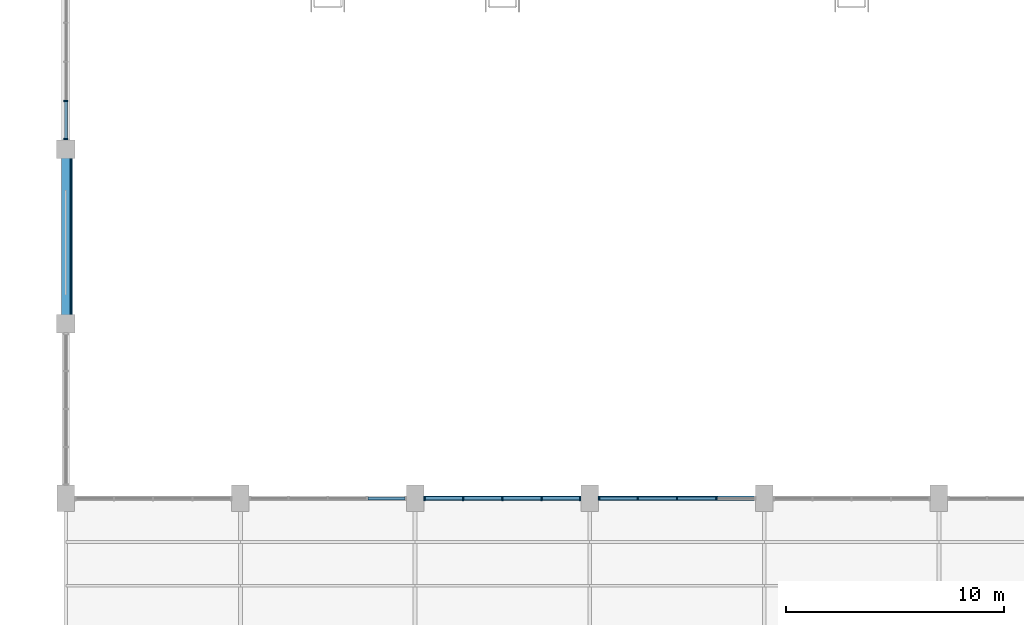
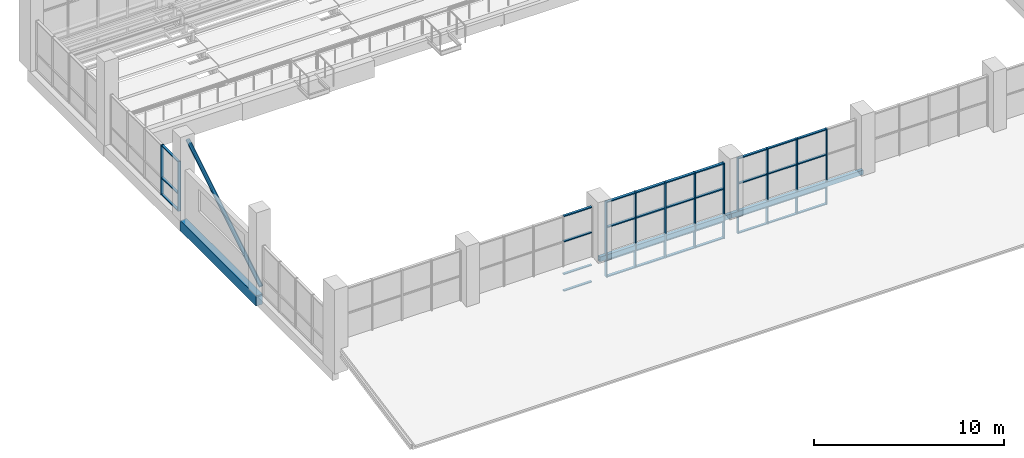
# One storey, part 10 of 122: 47 members, 3 beams, 4 elements without a shape of their own.
"""IFC4 building model written with IfcOpenShell, lengths in metres."""

from ifc_helpers import new_model, si_unit, direction, frame, origin, origin_2d, place, context, subcontext, project, spatial, rectangle, hollow_rectangle, hollow_circle, extrude, material, material_profile, profile_set, type_object, element, aggregate, save


model = new_model("IFC4")

# Units and contexts
model_context = context("Model", 3, precision=1e-05, world=origin(), true_north=direction((0.0, 1.0)))
body_context = subcontext(model_context, "Body", "Model", "MODEL_VIEW")
ifc_project = project(units=[si_unit("LENGTHUNIT", "METRE"), si_unit("AREAUNIT", "SQUARE_METRE"), si_unit("VOLUMEUNIT", "CUBIC_METRE"), si_unit("PLANEANGLEUNIT", "RADIAN"), si_unit("MASSUNIT", "GRAM", prefix="KILO")], contexts=[model_context])

# Site, building, storey
site_placement = place(None, origin())
site = spatial("IfcSite", under=ifc_project, at=site_placement, CompositionType="ELEMENT")
building_placement = place(site_placement, origin())
building = spatial("IfcBuilding", under=site, at=building_placement, Name="Tenunan Teduh Sports Hall", CompositionType="ELEMENT")
storey_placement = place(building_placement, frame((0.0, 0.0, 5.39990234375)))
storey = spatial("IfcBuildingStorey", under=building, at=storey_placement, Name="L01", CompositionType="ELEMENT", Elevation=5.39990234375)

# Beam
ifc_material_1 = material(Name="Concrete C40/50", Category="concrete")
ifc_material_profile_1 = material_profile(ifc_material_1, rectangle(XDim=0.39990234375, YDim=0.64990234375, at=origin_2d()), Name="RCB 400x650")
ifc_profile_set_1 = profile_set([ifc_material_profile_1], Name="Concrete C40/50")
beam_type_1 = type_object("IfcBeamType", Name="BM-RC-400x650", PredefinedType="BEAM", material=ifc_profile_set_1)
beam_placement = place(storey_placement, frame((6.0, 22.0, -0.5849609375), z_axis=(0.0, 1.0, 0.0), x_axis=(-1.0, 0.0, 0.0)))
element("IfcBeam", 1, at=beam_placement, inside=storey, type_object=beam_type_1, Name="BM-B-07-L01-1186", PredefinedType="BEAM", context=body_context, shape_type="SweptSolid", body=[
    extrude(rectangle(XDim=0.39990234375, YDim=0.64990234375, at=origin_2d()), origin(), (0.0, 0.0, 1.0), 8.0),
])

# Curtain wall, members
ifc_material_2 = material(Name="Anodised aluminium", Category="aluminium")
curtain_wall_type = type_object("IfcCurtainWallType", Name="CW-UNIT-1", PredefinedType="NOTDEFINED", material=ifc_material_2)
curtain_wall_1_placement = place(storey_placement, origin())
curtain_wall_1 = element("IfcCurtainWall", 2, at=curtain_wall_1_placement, inside=storey, type_object=curtain_wall_type, Name="CW-CWM-175-L01-046", PredefinedType="NOTDEFINED")
ifc_material_3 = material(Name="Anodised aluminium", Category="aluminium")
ifc_material_profile_2 = material_profile(ifc_material_3, rectangle(XDim=0.06494140625, YDim=0.175048828125, at=origin_2d()), Name="CWM 65x175")
ifc_profile_set_2 = profile_set([ifc_material_profile_2], Name="Anodised aluminium")
member_type_1 = type_object("IfcMemberType", Name="CWM-175", PredefinedType="MULLION", material=ifc_profile_set_2)
member_1_placement = place(storey_placement, frame((30.4326171875, 14.0, 0.0), z_axis=(0.0, 0.0, 1.0), x_axis=(1.0, 0.0, 0.0)))
member_1 = element("IfcMember", 3, at=member_1_placement, type_object=member_type_1, Name="CW-01 mullion 1", PredefinedType="MULLION", context=body_context, shape_type="SweptSolid", body=[
    extrude(rectangle(XDim=0.06494140625, YDim=0.175048828125, at=origin_2d()), origin(), (0.0, 0.0, 1.0), 4.85009765625),
])
member_2_placement = place(storey_placement, frame((32.199951171875, 14.0, 0.0), z_axis=(0.0, 0.0, 1.0), x_axis=(1.0, 0.0, 0.0)))
member_2 = element("IfcMember", 4, at=member_2_placement, type_object=member_type_1, Name="CW-01 mullion 2", PredefinedType="MULLION", context=body_context, shape_type="SweptSolid", body=[
    extrude(rectangle(XDim=0.06494140625, YDim=0.175048828125, at=origin_2d()), origin(), (0.0, 0.0, 1.0), 4.85009765625),
])
member_3_placement = place(storey_placement, frame((34.0, 14.0, 0.0), z_axis=(0.0, 0.0, 1.0), x_axis=(1.0, 0.0, 0.0)))
member_3 = element("IfcMember", 5, at=member_3_placement, type_object=member_type_1, Name="CW-01 mullion 3", PredefinedType="MULLION", context=body_context, shape_type="SweptSolid", body=[
    extrude(rectangle(XDim=0.06494140625, YDim=0.175048828125, at=origin_2d()), origin(), (0.0, 0.0, 1.0), 4.85009765625),
])
member_4_placement = place(storey_placement, frame((35.800048828125, 14.0, 0.0), z_axis=(0.0, 0.0, 1.0), x_axis=(1.0, 0.0, 0.0)))
member_4 = element("IfcMember", 6, at=member_4_placement, type_object=member_type_1, Name="CW-01 mullion 4", PredefinedType="MULLION", context=body_context, shape_type="SweptSolid", body=[
    extrude(rectangle(XDim=0.06494140625, YDim=0.175048828125, at=origin_2d()), origin(), (0.0, 0.0, 1.0), 4.85009765625),
])

curtain_wall_2_placement = place(storey_placement, origin())
curtain_wall_2 = element("IfcCurtainWall", 7, at=curtain_wall_2_placement, inside=storey, type_object=curtain_wall_type, Name="CW-CWM-175-L01-054", PredefinedType="NOTDEFINED")
member_5_placement = place(storey_placement, frame((6.0, 30.45751953125, 0.0), z_axis=(0.0, 0.0, 1.0), x_axis=(0.0, 1.0, 0.0)))
member_5 = element("IfcMember", 8, at=member_5_placement, type_object=member_type_1, Name="CW-01 mullion 1", PredefinedType="MULLION", context=body_context, shape_type="SweptSolid", body=[
    extrude(rectangle(XDim=0.06494140625, YDim=0.175048828125, at=origin_2d()), origin(), (0.0, 0.0, 1.0), 3.2001953125),
])
member_6_placement = place(storey_placement, frame((6.0, 32.21240234375, 0.0), z_axis=(0.0, 0.0, 1.0), x_axis=(0.0, 1.0, 0.0)))
member_6 = element("IfcMember", 9, at=member_6_placement, type_object=member_type_1, Name="CW-01 mullion 2", PredefinedType="MULLION", context=body_context, shape_type="SweptSolid", body=[
    extrude(rectangle(XDim=0.06494140625, YDim=0.175048828125, at=origin_2d()), origin(), (0.0, 0.0, 1.0), 3.2001953125),
])

curtain_wall_3_placement = place(storey_placement, origin())
curtain_wall_3 = element("IfcCurtainWall", 10, at=curtain_wall_3_placement, inside=storey, type_object=curtain_wall_type, Name="CW-CWM-200-L01-044", PredefinedType="NOTDEFINED")
ifc_material_4 = material(Name="Anodised aluminium", Category="aluminium")
ifc_material_profile_3 = material_profile(ifc_material_4, rectangle(XDim=0.070068359375, YDim=0.199951171875, at=origin_2d()), Name="CWM 70x200")
ifc_profile_set_3 = profile_set([ifc_material_profile_3], Name="Anodised aluminium")
member_type_2 = type_object("IfcMemberType", Name="CWM-200", PredefinedType="MULLION", material=ifc_profile_set_3)
member_7_placement = place(storey_placement, frame((22.43505859375, 14.0, 0.0), z_axis=(0.0, 0.0, 1.0), x_axis=(1.0, 0.0, 0.0)))
member_7 = element("IfcMember", 11, at=member_7_placement, type_object=member_type_2, Name="CW-01 mullion 1", PredefinedType="MULLION", context=body_context, shape_type="SweptSolid", body=[
    extrude(rectangle(XDim=0.070068359375, YDim=0.199951171875, at=origin_2d()), origin(), (0.0, 0.0, 1.0), 4.85009765625),
])
member_8_placement = place(storey_placement, frame((24.199951171875, 14.0, 0.0), z_axis=(0.0, 0.0, 1.0), x_axis=(1.0, 0.0, 0.0)))
member_8 = element("IfcMember", 12, at=member_8_placement, type_object=member_type_2, Name="CW-01 mullion 2", PredefinedType="MULLION", context=body_context, shape_type="SweptSolid", body=[
    extrude(rectangle(XDim=0.070068359375, YDim=0.199951171875, at=origin_2d()), origin(), (0.0, 0.0, 1.0), 4.85009765625),
])
member_9_placement = place(storey_placement, frame((26.0, 14.0, 0.0), z_axis=(0.0, 0.0, 1.0), x_axis=(1.0, 0.0, 0.0)))
member_9 = element("IfcMember", 13, at=member_9_placement, type_object=member_type_2, Name="CW-01 mullion 3", PredefinedType="MULLION", context=body_context, shape_type="SweptSolid", body=[
    extrude(rectangle(XDim=0.070068359375, YDim=0.199951171875, at=origin_2d()), origin(), (0.0, 0.0, 1.0), 4.85009765625),
])
member_10_placement = place(storey_placement, frame((27.800048828125, 14.0, 0.0), z_axis=(0.0, 0.0, 1.0), x_axis=(1.0, 0.0, 0.0)))
member_10 = element("IfcMember", 14, at=member_10_placement, type_object=member_type_2, Name="CW-01 mullion 4", PredefinedType="MULLION", context=body_context, shape_type="SweptSolid", body=[
    extrude(rectangle(XDim=0.070068359375, YDim=0.199951171875, at=origin_2d()), origin(), (0.0, 0.0, 1.0), 4.85009765625),
])
member_11_placement = place(storey_placement, frame((29.56494140625, 14.0, 0.0), z_axis=(0.0, 0.0, 1.0), x_axis=(1.0, 0.0, 0.0)))
member_11 = element("IfcMember", 15, at=member_11_placement, type_object=member_type_2, Name="CW-01 mullion 5", PredefinedType="MULLION", context=body_context, shape_type="SweptSolid", body=[
    extrude(rectangle(XDim=0.070068359375, YDim=0.199951171875, at=origin_2d()), origin(), (0.0, 0.0, 1.0), 4.85009765625),
])

curtain_wall_4_placement = place(storey_placement, origin())
curtain_wall_4 = element("IfcCurtainWall", 16, at=curtain_wall_4_placement, inside=storey, type_object=curtain_wall_type, Name="CW-CWM-175-L01-042", PredefinedType="NOTDEFINED")
ifc_material_5 = material(Name="Anodised aluminium", Category="aluminium")
ifc_material_profile_4 = material_profile(ifc_material_5, rectangle(XDim=0.06494140625, YDim=0.139892578125, at=origin_2d()), Name="CWT 65x140")
ifc_profile_set_4 = profile_set([ifc_material_profile_4], Name="Anodised aluminium")
member_type_3 = type_object("IfcMemberType", Name="CWT-150", PredefinedType="USERDEFINED", material=ifc_profile_set_4)
member_12_placement = place(storey_placement, frame((19.83251953125, 14.0, 0.03271484375), z_axis=(1.0, 0.0, 0.0), x_axis=(0.0, 0.0, 1.0)))
member_12 = element("IfcMember", 17, at=member_12_placement, type_object=member_type_3, Name="CW-01 transom 4.1", ObjectType="TRANSOM", PredefinedType="USERDEFINED", context=body_context, shape_type="SweptSolid", body=[
    extrude(rectangle(XDim=0.06494140625, YDim=0.139892578125, at=origin_2d()), origin(), (0.0, 0.0, 1.0), 1.702392578125),
])
member_13_placement = place(storey_placement, frame((19.83251953125, 14.0, 1.10009765625), z_axis=(1.0, 0.0, 0.0), x_axis=(0.0, 0.0, 1.0)))
member_13 = element("IfcMember", 18, at=member_13_placement, type_object=member_type_3, Name="CW-01 transom 4.2", ObjectType="TRANSOM", PredefinedType="USERDEFINED", context=body_context, shape_type="SweptSolid", body=[
    extrude(rectangle(XDim=0.06494140625, YDim=0.139892578125, at=origin_2d()), origin(), (0.0, 0.0, 1.0), 1.702392578125),
])
member_14_placement = place(storey_placement, frame((19.83251953125, 14.0, 3.2001953125), z_axis=(1.0, 0.0, 0.0), x_axis=(0.0, 0.0, 1.0)))
member_14 = element("IfcMember", 19, at=member_14_placement, type_object=member_type_3, Name="CW-01 transom 4.3", ObjectType="TRANSOM", PredefinedType="USERDEFINED", context=body_context, shape_type="SweptSolid", body=[
    extrude(rectangle(XDim=0.06494140625, YDim=0.139892578125, at=origin_2d()), origin(), (0.0, 0.0, 1.0), 1.702392578125),
])
member_15_placement = place(storey_placement, frame((19.83251953125, 14.0, 4.817626953125), z_axis=(1.0, 0.0, 0.0), x_axis=(0.0, 0.0, 1.0)))
member_15 = element("IfcMember", 20, at=member_15_placement, type_object=member_type_3, Name="CW-01 transom 4.4", ObjectType="TRANSOM", PredefinedType="USERDEFINED", context=body_context, shape_type="SweptSolid", body=[
    extrude(rectangle(XDim=0.06494140625, YDim=0.139892578125, at=origin_2d()), origin(), (0.0, 0.0, 1.0), 1.702392578125),
])
aggregate(curtain_wall_4, [member_12, member_13, member_14, member_15])

# Member
member_16_placement = place(storey_placement, frame((30.465087890625, 14.0, 0.03271484375), z_axis=(1.0, 0.0, 0.0), x_axis=(0.0, 0.0, 1.0)))
member_16 = element("IfcMember", 21, at=member_16_placement, type_object=member_type_3, Name="CW-01 transom 1.1", ObjectType="TRANSOM", PredefinedType="USERDEFINED", context=body_context, shape_type="SweptSolid", body=[
    extrude(rectangle(XDim=0.06494140625, YDim=0.139892578125, at=origin_2d()), origin(), (0.0, 0.0, 1.0), 1.702392578125),
])

member_17_placement = place(storey_placement, frame((30.465087890625, 14.0, 1.10009765625), z_axis=(1.0, 0.0, 0.0), x_axis=(0.0, 0.0, 1.0)))
member_17 = element("IfcMember", 22, at=member_17_placement, type_object=member_type_3, Name="CW-01 transom 1.2", ObjectType="TRANSOM", PredefinedType="USERDEFINED", context=body_context, shape_type="SweptSolid", body=[
    extrude(rectangle(XDim=0.06494140625, YDim=0.139892578125, at=origin_2d()), origin(), (0.0, 0.0, 1.0), 1.702392578125),
])

member_18_placement = place(storey_placement, frame((30.465087890625, 14.0, 3.2001953125), z_axis=(1.0, 0.0, 0.0), x_axis=(0.0, 0.0, 1.0)))
member_18 = element("IfcMember", 23, at=member_18_placement, type_object=member_type_3, Name="CW-01 transom 1.3", ObjectType="TRANSOM", PredefinedType="USERDEFINED", context=body_context, shape_type="SweptSolid", body=[
    extrude(rectangle(XDim=0.06494140625, YDim=0.139892578125, at=origin_2d()), origin(), (0.0, 0.0, 1.0), 1.702392578125),
])

member_19_placement = place(storey_placement, frame((30.465087890625, 14.0, 4.817626953125), z_axis=(1.0, 0.0, 0.0), x_axis=(0.0, 0.0, 1.0)))
member_19 = element("IfcMember", 24, at=member_19_placement, type_object=member_type_3, Name="CW-01 transom 1.4", ObjectType="TRANSOM", PredefinedType="USERDEFINED", context=body_context, shape_type="SweptSolid", body=[
    extrude(rectangle(XDim=0.06494140625, YDim=0.139892578125, at=origin_2d()), origin(), (0.0, 0.0, 1.0), 1.702392578125),
])

member_20_placement = place(storey_placement, frame((32.232421875, 14.0, 0.03271484375), z_axis=(1.0, 0.0, 0.0), x_axis=(0.0, 0.0, 1.0)))
member_20 = element("IfcMember", 25, at=member_20_placement, type_object=member_type_3, Name="CW-01 transom 2.1", ObjectType="TRANSOM", PredefinedType="USERDEFINED", context=body_context, shape_type="SweptSolid", body=[
    extrude(rectangle(XDim=0.06494140625, YDim=0.139892578125, at=origin_2d()), origin(), (0.0, 0.0, 1.0), 1.735107421875),
])

member_21_placement = place(storey_placement, frame((32.232421875, 14.0, 1.10009765625), z_axis=(1.0, 0.0, 0.0), x_axis=(0.0, 0.0, 1.0)))
member_21 = element("IfcMember", 26, at=member_21_placement, type_object=member_type_3, Name="CW-01 transom 2.2", ObjectType="TRANSOM", PredefinedType="USERDEFINED", context=body_context, shape_type="SweptSolid", body=[
    extrude(rectangle(XDim=0.06494140625, YDim=0.139892578125, at=origin_2d()), origin(), (0.0, 0.0, 1.0), 1.735107421875),
])

member_22_placement = place(storey_placement, frame((32.232421875, 14.0, 3.2001953125), z_axis=(1.0, 0.0, 0.0), x_axis=(0.0, 0.0, 1.0)))
member_22 = element("IfcMember", 27, at=member_22_placement, type_object=member_type_3, Name="CW-01 transom 2.3", ObjectType="TRANSOM", PredefinedType="USERDEFINED", context=body_context, shape_type="SweptSolid", body=[
    extrude(rectangle(XDim=0.06494140625, YDim=0.139892578125, at=origin_2d()), origin(), (0.0, 0.0, 1.0), 1.735107421875),
])

member_23_placement = place(storey_placement, frame((32.232421875, 14.0, 4.817626953125), z_axis=(1.0, 0.0, 0.0), x_axis=(0.0, 0.0, 1.0)))
member_23 = element("IfcMember", 28, at=member_23_placement, type_object=member_type_3, Name="CW-01 transom 2.4", ObjectType="TRANSOM", PredefinedType="USERDEFINED", context=body_context, shape_type="SweptSolid", body=[
    extrude(rectangle(XDim=0.06494140625, YDim=0.139892578125, at=origin_2d()), origin(), (0.0, 0.0, 1.0), 1.735107421875),
])

member_24_placement = place(storey_placement, frame((34.032470703125, 14.0, 0.03271484375), z_axis=(1.0, 0.0, 0.0), x_axis=(0.0, 0.0, 1.0)))
member_24 = element("IfcMember", 29, at=member_24_placement, type_object=member_type_3, Name="CW-01 transom 3.1", ObjectType="TRANSOM", PredefinedType="USERDEFINED", context=body_context, shape_type="SweptSolid", body=[
    extrude(rectangle(XDim=0.06494140625, YDim=0.139892578125, at=origin_2d()), origin(), (0.0, 0.0, 1.0), 1.735107421875),
])

member_25_placement = place(storey_placement, frame((34.032470703125, 14.0, 1.10009765625), z_axis=(1.0, 0.0, 0.0), x_axis=(0.0, 0.0, 1.0)))
member_25 = element("IfcMember", 30, at=member_25_placement, type_object=member_type_3, Name="CW-01 transom 3.2", ObjectType="TRANSOM", PredefinedType="USERDEFINED", context=body_context, shape_type="SweptSolid", body=[
    extrude(rectangle(XDim=0.06494140625, YDim=0.139892578125, at=origin_2d()), origin(), (0.0, 0.0, 1.0), 1.735107421875),
])

member_26_placement = place(storey_placement, frame((34.032470703125, 14.0, 3.2001953125), z_axis=(1.0, 0.0, 0.0), x_axis=(0.0, 0.0, 1.0)))
member_26 = element("IfcMember", 31, at=member_26_placement, type_object=member_type_3, Name="CW-01 transom 3.3", ObjectType="TRANSOM", PredefinedType="USERDEFINED", context=body_context, shape_type="SweptSolid", body=[
    extrude(rectangle(XDim=0.06494140625, YDim=0.139892578125, at=origin_2d()), origin(), (0.0, 0.0, 1.0), 1.735107421875),
])

member_27_placement = place(storey_placement, frame((34.032470703125, 14.0, 4.817626953125), z_axis=(1.0, 0.0, 0.0), x_axis=(0.0, 0.0, 1.0)))
member_27 = element("IfcMember", 32, at=member_27_placement, type_object=member_type_3, Name="CW-01 transom 3.4", ObjectType="TRANSOM", PredefinedType="USERDEFINED", context=body_context, shape_type="SweptSolid", body=[
    extrude(rectangle(XDim=0.06494140625, YDim=0.139892578125, at=origin_2d()), origin(), (0.0, 0.0, 1.0), 1.735107421875),
])

aggregate(curtain_wall_1, [member_1, member_2, member_3, member_4, member_16, member_17, member_18, member_19, member_20, member_21, member_22, member_23, member_24, member_25, member_26, member_27])

member_28_placement = place(storey_placement, frame((6.0, 30.489990234375, 0.03271484375), z_axis=(0.0, 1.0, 0.0), x_axis=(0.0, 0.0, 1.0)))
member_28 = element("IfcMember", 33, at=member_28_placement, type_object=member_type_3, Name="CW-01 transom 1.1", ObjectType="TRANSOM", PredefinedType="USERDEFINED", context=body_context, shape_type="SweptSolid", body=[
    extrude(rectangle(XDim=0.06494140625, YDim=0.139892578125, at=origin_2d()), origin(), (0.0, 0.0, 1.0), 1.68994140625),
])

member_29_placement = place(storey_placement, frame((6.0, 30.489990234375, 1.10009765625), z_axis=(0.0, 1.0, 0.0), x_axis=(0.0, 0.0, 1.0)))
member_29 = element("IfcMember", 34, at=member_29_placement, type_object=member_type_3, Name="CW-01 transom 1.2", ObjectType="TRANSOM", PredefinedType="USERDEFINED", context=body_context, shape_type="SweptSolid", body=[
    extrude(rectangle(XDim=0.06494140625, YDim=0.139892578125, at=origin_2d()), origin(), (0.0, 0.0, 1.0), 1.68994140625),
])

member_30_placement = place(storey_placement, frame((6.0, 30.489990234375, 3.16748046875), z_axis=(0.0, 1.0, 0.0), x_axis=(0.0, 0.0, 1.0)))
member_30 = element("IfcMember", 35, at=member_30_placement, type_object=member_type_3, Name="CW-01 transom 1.3", ObjectType="TRANSOM", PredefinedType="USERDEFINED", context=body_context, shape_type="SweptSolid", body=[
    extrude(rectangle(XDim=0.06494140625, YDim=0.139892578125, at=origin_2d()), origin(), (0.0, 0.0, 1.0), 1.68994140625),
])

aggregate(curtain_wall_2, [member_5, member_6, member_28, member_29, member_30])

ifc_material_6 = material(Name="Anodised aluminium", Category="aluminium")
ifc_material_profile_5 = material_profile(ifc_material_6, rectangle(XDim=0.070068359375, YDim=0.159912109375, at=origin_2d()), Name="CWT 70x160")
ifc_profile_set_5 = profile_set([ifc_material_profile_5], Name="Anodised aluminium")
member_type_4 = type_object("IfcMemberType", Name="CWT-200", PredefinedType="USERDEFINED", material=ifc_profile_set_5)
member_31_placement = place(storey_placement, frame((22.469970703125, 14.0, 0.03515625), z_axis=(1.0, 0.0, 0.0), x_axis=(0.0, 0.0, 1.0)))
member_31 = element("IfcMember", 36, at=member_31_placement, type_object=member_type_4, Name="CW-01 transom 1.1", ObjectType="TRANSOM", PredefinedType="USERDEFINED", context=body_context, shape_type="SweptSolid", body=[
    extrude(rectangle(XDim=0.070068359375, YDim=0.159912109375, at=origin_2d()), origin(), (0.0, 0.0, 1.0), 1.695068359375),
])

member_32_placement = place(storey_placement, frame((22.469970703125, 14.0, 1.10009765625), z_axis=(1.0, 0.0, 0.0), x_axis=(0.0, 0.0, 1.0)))
member_32 = element("IfcMember", 37, at=member_32_placement, type_object=member_type_4, Name="CW-01 transom 1.2", ObjectType="TRANSOM", PredefinedType="USERDEFINED", context=body_context, shape_type="SweptSolid", body=[
    extrude(rectangle(XDim=0.070068359375, YDim=0.159912109375, at=origin_2d()), origin(), (0.0, 0.0, 1.0), 1.695068359375),
])

member_33_placement = place(storey_placement, frame((22.469970703125, 14.0, 3.2001953125), z_axis=(1.0, 0.0, 0.0), x_axis=(0.0, 0.0, 1.0)))
member_33 = element("IfcMember", 38, at=member_33_placement, type_object=member_type_4, Name="CW-01 transom 1.3", ObjectType="TRANSOM", PredefinedType="USERDEFINED", context=body_context, shape_type="SweptSolid", body=[
    extrude(rectangle(XDim=0.070068359375, YDim=0.159912109375, at=origin_2d()), origin(), (0.0, 0.0, 1.0), 1.695068359375),
])

member_34_placement = place(storey_placement, frame((22.469970703125, 14.0, 4.815185546875), z_axis=(1.0, 0.0, 0.0), x_axis=(0.0, 0.0, 1.0)))
member_34 = element("IfcMember", 39, at=member_34_placement, type_object=member_type_4, Name="CW-01 transom 1.4", ObjectType="TRANSOM", PredefinedType="USERDEFINED", context=body_context, shape_type="SweptSolid", body=[
    extrude(rectangle(XDim=0.070068359375, YDim=0.159912109375, at=origin_2d()), origin(), (0.0, 0.0, 1.0), 1.695068359375),
])

member_35_placement = place(storey_placement, frame((24.235107421875, 14.0, 0.03515625), z_axis=(1.0, 0.0, 0.0), x_axis=(0.0, 0.0, 1.0)))
member_35 = element("IfcMember", 40, at=member_35_placement, type_object=member_type_4, Name="CW-01 transom 2.1", ObjectType="TRANSOM", PredefinedType="USERDEFINED", context=body_context, shape_type="SweptSolid", body=[
    extrude(rectangle(XDim=0.070068359375, YDim=0.159912109375, at=origin_2d()), origin(), (0.0, 0.0, 1.0), 1.72998046875),
])

member_36_placement = place(storey_placement, frame((24.235107421875, 14.0, 1.10009765625), z_axis=(1.0, 0.0, 0.0), x_axis=(0.0, 0.0, 1.0)))
member_36 = element("IfcMember", 41, at=member_36_placement, type_object=member_type_4, Name="CW-01 transom 2.2", ObjectType="TRANSOM", PredefinedType="USERDEFINED", context=body_context, shape_type="SweptSolid", body=[
    extrude(rectangle(XDim=0.070068359375, YDim=0.159912109375, at=origin_2d()), origin(), (0.0, 0.0, 1.0), 1.72998046875),
])

member_37_placement = place(storey_placement, frame((24.235107421875, 14.0, 3.2001953125), z_axis=(1.0, 0.0, 0.0), x_axis=(0.0, 0.0, 1.0)))
member_37 = element("IfcMember", 42, at=member_37_placement, type_object=member_type_4, Name="CW-01 transom 2.3", ObjectType="TRANSOM", PredefinedType="USERDEFINED", context=body_context, shape_type="SweptSolid", body=[
    extrude(rectangle(XDim=0.070068359375, YDim=0.159912109375, at=origin_2d()), origin(), (0.0, 0.0, 1.0), 1.72998046875),
])

member_38_placement = place(storey_placement, frame((24.235107421875, 14.0, 4.815185546875), z_axis=(1.0, 0.0, 0.0), x_axis=(0.0, 0.0, 1.0)))
member_38 = element("IfcMember", 43, at=member_38_placement, type_object=member_type_4, Name="CW-01 transom 2.4", ObjectType="TRANSOM", PredefinedType="USERDEFINED", context=body_context, shape_type="SweptSolid", body=[
    extrude(rectangle(XDim=0.070068359375, YDim=0.159912109375, at=origin_2d()), origin(), (0.0, 0.0, 1.0), 1.72998046875),
])

member_39_placement = place(storey_placement, frame((26.034912109375, 14.0, 0.03515625), z_axis=(1.0, 0.0, 0.0), x_axis=(0.0, 0.0, 1.0)))
member_39 = element("IfcMember", 44, at=member_39_placement, type_object=member_type_4, Name="CW-01 transom 3.1", ObjectType="TRANSOM", PredefinedType="USERDEFINED", context=body_context, shape_type="SweptSolid", body=[
    extrude(rectangle(XDim=0.070068359375, YDim=0.159912109375, at=origin_2d()), origin(), (0.0, 0.0, 1.0), 1.72998046875),
])

member_40_placement = place(storey_placement, frame((26.034912109375, 14.0, 1.10009765625), z_axis=(1.0, 0.0, 0.0), x_axis=(0.0, 0.0, 1.0)))
member_40 = element("IfcMember", 45, at=member_40_placement, type_object=member_type_4, Name="CW-01 transom 3.2", ObjectType="TRANSOM", PredefinedType="USERDEFINED", context=body_context, shape_type="SweptSolid", body=[
    extrude(rectangle(XDim=0.070068359375, YDim=0.159912109375, at=origin_2d()), origin(), (0.0, 0.0, 1.0), 1.72998046875),
])

member_41_placement = place(storey_placement, frame((26.034912109375, 14.0, 3.2001953125), z_axis=(1.0, 0.0, 0.0), x_axis=(0.0, 0.0, 1.0)))
member_41 = element("IfcMember", 46, at=member_41_placement, type_object=member_type_4, Name="CW-01 transom 3.3", ObjectType="TRANSOM", PredefinedType="USERDEFINED", context=body_context, shape_type="SweptSolid", body=[
    extrude(rectangle(XDim=0.070068359375, YDim=0.159912109375, at=origin_2d()), origin(), (0.0, 0.0, 1.0), 1.72998046875),
])

member_42_placement = place(storey_placement, frame((26.034912109375, 14.0, 4.815185546875), z_axis=(1.0, 0.0, 0.0), x_axis=(0.0, 0.0, 1.0)))
member_42 = element("IfcMember", 47, at=member_42_placement, type_object=member_type_4, Name="CW-01 transom 3.4", ObjectType="TRANSOM", PredefinedType="USERDEFINED", context=body_context, shape_type="SweptSolid", body=[
    extrude(rectangle(XDim=0.070068359375, YDim=0.159912109375, at=origin_2d()), origin(), (0.0, 0.0, 1.0), 1.72998046875),
])

member_43_placement = place(storey_placement, frame((27.8349609375, 14.0, 0.03515625), z_axis=(1.0, 0.0, 0.0), x_axis=(0.0, 0.0, 1.0)))
member_43 = element("IfcMember", 48, at=member_43_placement, type_object=member_type_4, Name="CW-01 transom 4.1", ObjectType="TRANSOM", PredefinedType="USERDEFINED", context=body_context, shape_type="SweptSolid", body=[
    extrude(rectangle(XDim=0.070068359375, YDim=0.159912109375, at=origin_2d()), origin(), (0.0, 0.0, 1.0), 1.695068359375),
])

member_44_placement = place(storey_placement, frame((27.8349609375, 14.0, 1.10009765625), z_axis=(1.0, 0.0, 0.0), x_axis=(0.0, 0.0, 1.0)))
member_44 = element("IfcMember", 49, at=member_44_placement, type_object=member_type_4, Name="CW-01 transom 4.2", ObjectType="TRANSOM", PredefinedType="USERDEFINED", context=body_context, shape_type="SweptSolid", body=[
    extrude(rectangle(XDim=0.070068359375, YDim=0.159912109375, at=origin_2d()), origin(), (0.0, 0.0, 1.0), 1.695068359375),
])

member_45_placement = place(storey_placement, frame((27.8349609375, 14.0, 3.2001953125), z_axis=(1.0, 0.0, 0.0), x_axis=(0.0, 0.0, 1.0)))
member_45 = element("IfcMember", 50, at=member_45_placement, type_object=member_type_4, Name="CW-01 transom 4.3", ObjectType="TRANSOM", PredefinedType="USERDEFINED", context=body_context, shape_type="SweptSolid", body=[
    extrude(rectangle(XDim=0.070068359375, YDim=0.159912109375, at=origin_2d()), origin(), (0.0, 0.0, 1.0), 1.695068359375),
])

member_46_placement = place(storey_placement, frame((27.8349609375, 14.0, 4.815185546875), z_axis=(1.0, 0.0, 0.0), x_axis=(0.0, 0.0, 1.0)))
member_46 = element("IfcMember", 51, at=member_46_placement, type_object=member_type_4, Name="CW-01 transom 4.4", ObjectType="TRANSOM", PredefinedType="USERDEFINED", context=body_context, shape_type="SweptSolid", body=[
    extrude(rectangle(XDim=0.070068359375, YDim=0.159912109375, at=origin_2d()), origin(), (0.0, 0.0, 1.0), 1.695068359375),
])

aggregate(curtain_wall_3, [member_7, member_8, member_9, member_10, member_11, member_31, member_32, member_33, member_34, member_35, member_36, member_37, member_38, member_39, member_40, member_41, member_42, member_43, member_44, member_45, member_46])

ifc_material_7 = material(Name="Steel S355", Category="steel")
ifc_material_profile_6 = material_profile(ifc_material_7, hollow_circle(Radius=0.122314453125, WallThickness=0.010009765625, at=origin_2d()), Name="CHS 244.5x10.0")
ifc_profile_set_6 = profile_set([ifc_material_profile_6], Name="Steel S355")
member_type_5 = type_object("IfcMemberType", Name="MEM-BR-CHS245", PredefinedType="BRACE", material=ifc_profile_set_6)
member_47_placement = place(storey_placement, frame((6.179931640625, 22.14990234375, 0.150146484375), z_axis=(0.0, 0.851094506608, 0.525012514919), x_axis=(-1.0, 0.0, 0.0)))
element("IfcMember", 52, at=member_47_placement, inside=storey, type_object=member_type_5, Name="MEM-GD-01-L01-1445", PredefinedType="BRACE", context=body_context, shape_type="SweptSolid", body=[
    extrude(hollow_circle(Radius=0.122314453125, WallThickness=0.010009765625, at=origin_2d()), origin(), (0.0, 0.0, 1.0), 9.04736328125),
])

# Beams
ifc_material_8 = material(Name="Steel S355", Category="steel")
ifc_material_profile_7 = material_profile(ifc_material_8, hollow_rectangle(XDim=0.199951171875, YDim=0.300048828125, WallThickness=0.010009765625, at=origin_2d()), Name="RHS 300x200x10.0")
ifc_profile_set_7 = profile_set([ifc_material_profile_7], Name="Steel S355")
beam_type_2 = type_object("IfcBeamType", Name="RBM-RHS300", PredefinedType="BEAM", material=ifc_profile_set_7)
for number, where, z_axis, x_axis, name in (
    (53, (22.0, 14.0, 1.320068359375), (1.0, 0.0, 0.0), (0.0, 1.0, 0.0), "Perimeter Ring Beam BM-RB-03-L01-0526"),
    (54, (30.0, 14.0, 1.320068359375), (1.0, 0.0, 0.0), (0.0, 1.0, 0.0), "Perimeter Ring Beam BM-RB-03-L01-0529"),
):
    element("IfcBeam", number, at=place(storey_placement, frame(where, z_axis=z_axis, x_axis=x_axis)), inside=storey, type_object=beam_type_2, Name=name, PredefinedType="BEAM", context=body_context, shape_type="SweptSolid", body=[
        extrude(hollow_rectangle(XDim=0.199951171875, YDim=0.300048828125, WallThickness=0.010009765625, at=origin_2d()), origin(), (0.0, 0.0, 1.0), 8.0),
    ])

save(model, "model.ifc")
